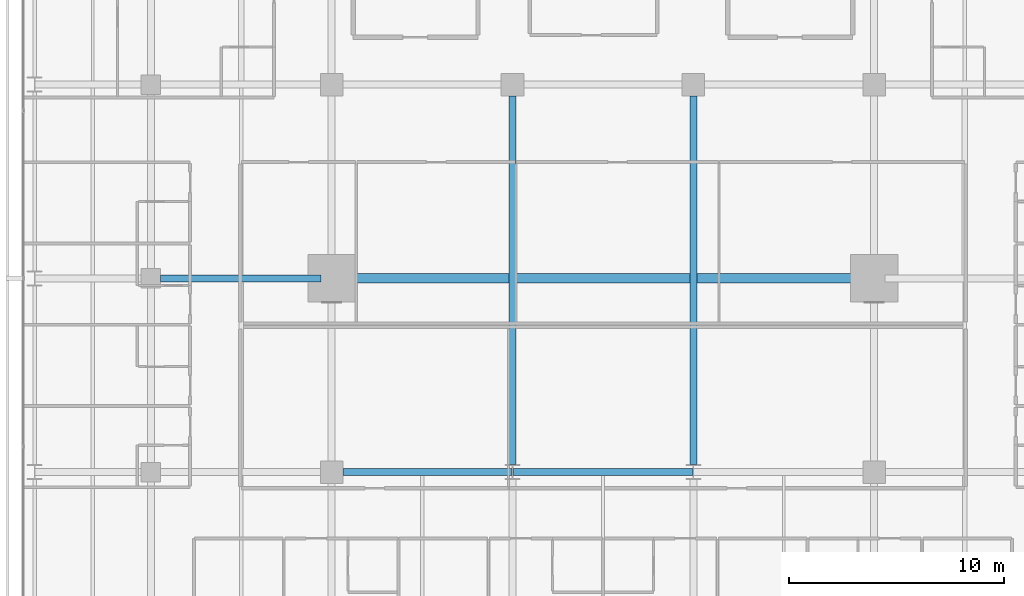
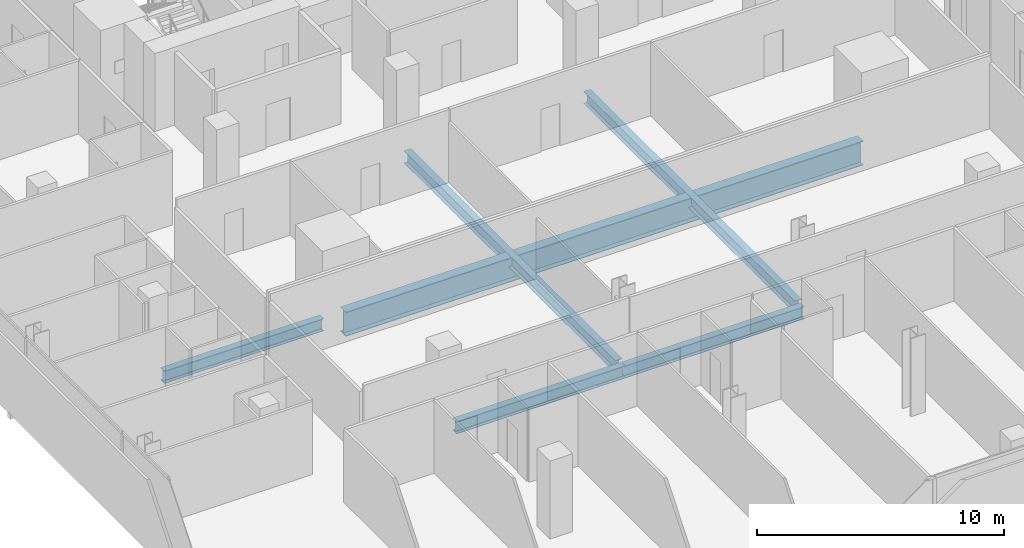
# One storey, part 13 of 40: 6 beams.
"""IFC4 building model written with IfcOpenShell, lengths in metres."""

from ifc_helpers import new_model, si_unit, direction, frame, origin, origin_2d, place, context, subcontext, project, spatial, i_section, extrude, material, material_profile, profile_set, type_object, element, save


model = new_model("IFC4")

# Units and contexts
model_context = context("Model", 3, precision=1e-05, world=origin(), true_north=direction((0.0, 1.0)))
body_context = subcontext(model_context, "Body", "Model", "MODEL_VIEW")
ifc_project = project(units=[si_unit("LENGTHUNIT", "METRE"), si_unit("AREAUNIT", "SQUARE_METRE"), si_unit("VOLUMEUNIT", "CUBIC_METRE"), si_unit("PLANEANGLEUNIT", "RADIAN"), si_unit("MASSUNIT", "GRAM", prefix="KILO")], contexts=[model_context])

# Site, building, storey
site_placement = place(None, origin())
site = spatial("IfcSite", under=ifc_project, at=site_placement, CompositionType="ELEMENT")
building_placement = place(site_placement, origin())
building = spatial("IfcBuilding", under=site, at=building_placement, Name="Maruvema Waterfront Hotel and Observation Tower", CompositionType="ELEMENT")
storey_placement = place(building_placement, frame((0.0, 0.0, 100.10009765625)))
storey = spatial("IfcBuildingStorey", under=building, at=storey_placement, Name="L24", CompositionType="ELEMENT", Elevation=100.10009765625)

# Beams
ifc_material_1 = material(Name="Steel ASTM A572 Grade 50", Category="steel")
ifc_material_profile_1 = material_profile(ifc_material_1, i_section(OverallWidth=0.323974609375, OverallDepth=0.611083984375, WebThickness=0.0126953125, FlangeThickness=0.01904296875, FilletRadius=0.01806640625, at=origin_2d()), Name="W610x155.0")
ifc_profile_set_1 = profile_set([ifc_material_profile_1], Name="Steel ASTM A572 Grade 50")
beam_type_1 = type_object("IfcBeamType", Name="Primary Floor Girder W610x155.0", PredefinedType="BEAM", material=ifc_profile_set_1)
beam_1_placement = place(storey_placement, frame((25.72509765625, 18.0, -0.545654296875), z_axis=(1.0, 0.0, 0.0), x_axis=(0.0, 1.0, 0.0)))
element("IfcBeam", 1, at=beam_1_placement, inside=storey, type_object=beam_type_1, Name="L24 Floor Girder EW-15", PredefinedType="BEAM", context=body_context, shape_type="SweptSolid", body=[
    extrude(i_section(OverallWidth=0.323974609375, OverallDepth=0.611083984375, WebThickness=0.0126953125, FlangeThickness=0.01904296875, FilletRadius=0.01806640625, at=origin_2d()), origin(), (0.0, 0.0, 1.0), 7.86083984375),
])
beam_2_placement = place(storey_placement, frame((33.614013671875, 18.0, -0.545654296875), z_axis=(1.0, 0.0, 0.0), x_axis=(0.0, 1.0, 0.0)))
element("IfcBeam", 2, at=beam_2_placement, inside=storey, type_object=beam_type_1, Name="L24 Floor Girder EW-16", PredefinedType="BEAM", context=body_context, shape_type="SweptSolid", body=[
    extrude(i_section(OverallWidth=0.323974609375, OverallDepth=0.611083984375, WebThickness=0.0126953125, FlangeThickness=0.01904296875, FilletRadius=0.01806640625, at=origin_2d()), origin(), (0.0, 0.0, 1.0), 8.3720703125),
])
beam_3_placement = place(storey_placement, frame((17.25, 27.0, -0.545654296875), z_axis=(1.0, 0.0, 0.0), x_axis=(0.0, 1.0, 0.0)))
element("IfcBeam", 3, at=beam_3_placement, inside=storey, type_object=beam_type_1, Name="L24 Floor Girder EW-21", PredefinedType="BEAM", context=body_context, shape_type="SweptSolid", body=[
    extrude(i_section(OverallWidth=0.323974609375, OverallDepth=0.611083984375, WebThickness=0.0126953125, FlangeThickness=0.01904296875, FilletRadius=0.01806640625, at=origin_2d()), origin(), (0.0, 0.0, 1.0), 7.449951171875),
])
for number, where, z_axis, x_axis, name in (
    (4, (33.60009765625, 18.35009765625, -0.545654296875), (0.0, 1.0, 0.0), (-1.0, 0.0, 0.0), "L24 Floor Girder NS-18"),
    (5, (42.0, 18.35009765625, -0.545654296875), (0.0, 1.0, 0.0), (-1.0, 0.0, 0.0), "L24 Floor Girder NS-21"),
):
    element("IfcBeam", number, at=place(storey_placement, frame(where, z_axis=z_axis, x_axis=x_axis)), inside=storey, type_object=beam_type_1, Name=name, PredefinedType="BEAM", context=body_context, shape_type="SweptSolid", body=[
        extrude(i_section(OverallWidth=0.323974609375, OverallDepth=0.611083984375, WebThickness=0.0126953125, FlangeThickness=0.01904296875, FilletRadius=0.01806640625, at=origin_2d()), origin(), (0.0, 0.0, 1.0), 17.125),
    ])
ifc_material_2 = material(Name="Steel ABNT NBR 7007 AR 415 (ASTM A572 Grade 50)", Category="steel")
ifc_material_profile_2 = material_profile(ifc_material_2, i_section(OverallWidth=0.449951171875, OverallDepth=1.199951171875, WebThickness=0.01904296875, FlangeThickness=0.031982421875, at=origin_2d()), Name="VS1200x366")
ifc_profile_set_2 = profile_set([ifc_material_profile_2], Name="Steel ABNT NBR 7007 AR 415 (ASTM A572 Grade 50)")
beam_type_2 = type_object("IfcBeamType", Name="Upper Setback Transfer Girder VS1200x366", PredefinedType="USERDEFINED", material=ifc_profile_set_2)
beam_4_placement = place(storey_placement, frame((25.699951171875, 27.0, -0.840087890625), z_axis=(1.0, 0.0, 0.0), x_axis=(0.0, 1.0, 0.0)))
element("IfcBeam", 6, at=beam_4_placement, inside=storey, type_object=beam_type_2, Name="L24 Floor Girder EW-22", ObjectType="TRANSFER GIRDER", PredefinedType="USERDEFINED", context=body_context, shape_type="SweptSolid", body=[
    extrude(i_section(OverallWidth=0.449951171875, OverallDepth=1.199951171875, WebThickness=0.01904296875, FlangeThickness=0.031982421875, at=origin_2d()), origin(), (0.0, 0.0, 1.0), 24.199951171875),
])

save(model, "model.ifc")
